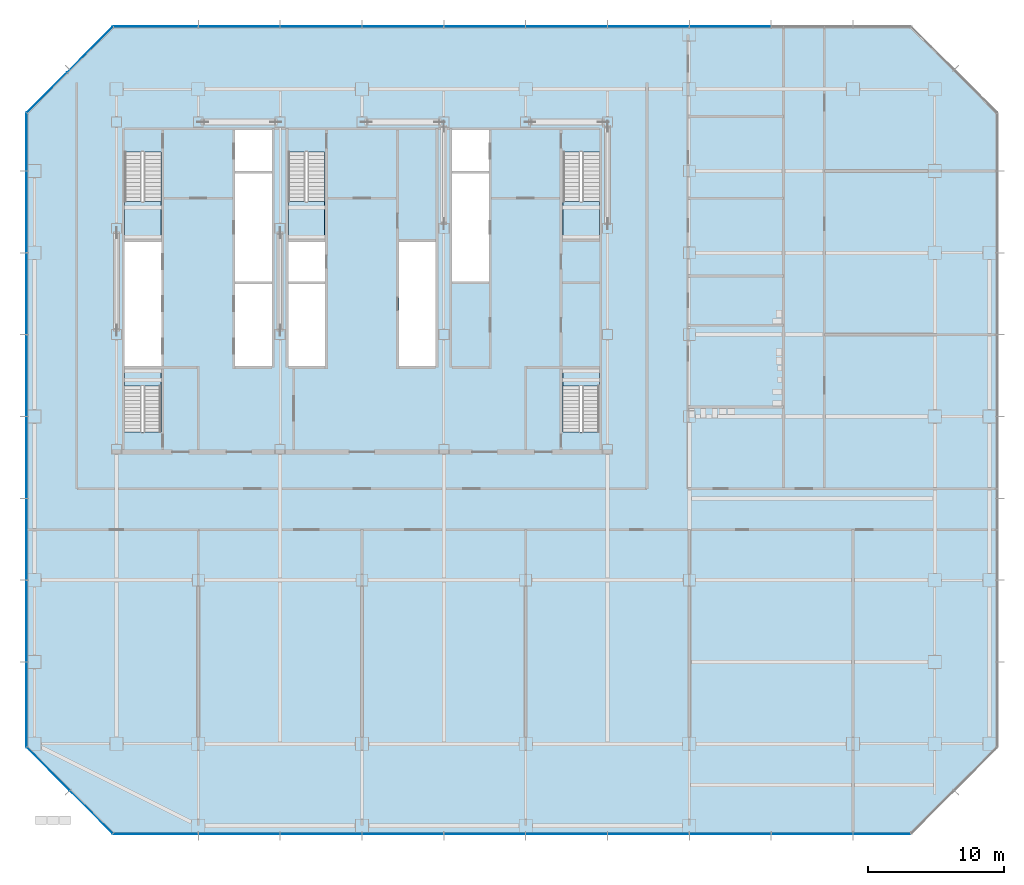
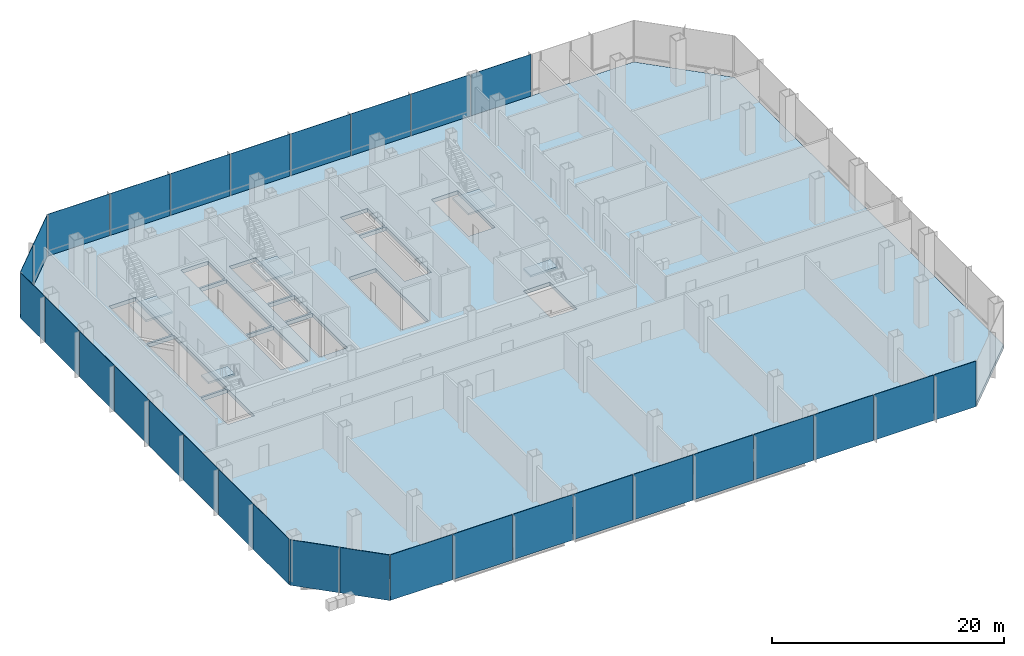
# One storey, part 20 of 33: 30 plates, 6 slabs, 10 elements without a shape of their own.
"""IFC4 building model written with IfcOpenShell, lengths in metres."""

from ifc_helpers import new_model, si_unit, direction, frame, origin, origin_2d, place, context, subcontext, project, spatial, polyline, rectangle, outline, extrude, material, layer, layer_set, type_object, element, aggregate, save


model = new_model("IFC4")

# Units and contexts
model_context = context("Model", 3, precision=1e-05, world=origin(), true_north=direction((0.0, 1.0)))
body_context = subcontext(model_context, "Body", "Model", "MODEL_VIEW")
ifc_project = project(units=[si_unit("LENGTHUNIT", "METRE"), si_unit("AREAUNIT", "SQUARE_METRE"), si_unit("VOLUMEUNIT", "CUBIC_METRE"), si_unit("PLANEANGLEUNIT", "RADIAN"), si_unit("MASSUNIT", "GRAM", prefix="KILO")], contexts=[model_context])

# Site, building, storey
site_placement = place(None, origin())
site = spatial("IfcSite", under=ifc_project, at=site_placement, CompositionType="ELEMENT")
building_placement = place(site_placement, origin())
building = spatial("IfcBuilding", under=site, at=building_placement, Name="Sorahane Residences", CompositionType="ELEMENT")
storey_placement = place(building_placement, frame((0.0, 0.0, 34.800048828125)))
storey = spatial("IfcBuildingStorey", under=building, at=storey_placement, Name="L05", CompositionType="ELEMENT", Elevation=34.800048828125)

# Slab
ifc_material_1 = material(Name="Concrete C35", Category="concrete")
ifc_layer_1 = layer(ifc_material_1, 0.39990234375)
ifc_layer_set_1 = layer_set([ifc_layer_1], Name="Composite floor slab 400 mm Concrete C35")
slab_type_1 = type_object("IfcSlabType", Name="Composite floor slab 400 mm Concrete C35", PredefinedType="FLOOR", material=ifc_layer_set_1)
slab_1_placement = place(storey_placement, frame((0.0, 0.0, -0.400146484375)))
element("IfcSlab", 1, at=slab_1_placement, inside=storey, type_object=slab_type_1, Name="Slab L05", PredefinedType="FLOOR", context=body_context, shape_type="SweptSolid", body=[
    extrude(outline(polyline([(5.75146484375, -6.60009765625), (-0.60009765625, -0.24853515625), (-0.60009765625, 46.24853515625), (5.75146484375, 52.60009765625), (64.24853515625, 52.60009765625), (70.60009765625, 46.24853515625), (70.60009765625, -0.24853515625), (64.24853515625, -6.60009765625), (5.75146484375, -6.60009765625)]), holes=[polyline([(18.60009765625, 27.699951171875), (21.300048828125, 27.699951171875), (21.300048828125, 33.699951171875), (18.60009765625, 33.699951171875), (18.60009765625, 27.699951171875)]), polyline([(30.60009765625, 42.0), (33.300048828125, 42.0), (33.300048828125, 45.0), (30.60009765625, 45.0), (30.60009765625, 42.0)]), polyline([(14.699951171875, 27.699951171875), (17.39990234375, 27.699951171875), (17.39990234375, 33.699951171875), (14.699951171875, 33.699951171875), (14.699951171875, 27.699951171875)]), polyline([(14.699951171875, 42.0), (17.39990234375, 42.0), (17.39990234375, 45.0), (14.699951171875, 45.0), (14.699951171875, 42.0)]), polyline([(6.60009765625, 27.699951171875), (9.300048828125, 27.699951171875), (9.300048828125, 36.800048828125), (6.60009765625, 36.800048828125), (6.60009765625, 27.699951171875)]), polyline([(6.60009765625, 43.39990234375), (6.60009765625, 37.0), (9.25, 37.0), (9.25, 43.39990234375), (6.60009765625, 43.39990234375)]), polyline([(38.75, 43.39990234375), (38.75, 37.0), (41.39990234375, 37.0), (41.39990234375, 43.39990234375), (38.75, 43.39990234375)]), polyline([(18.60009765625, 43.39990234375), (18.60009765625, 37.0), (21.25, 37.0), (21.25, 43.39990234375), (18.60009765625, 43.39990234375)]), polyline([(9.25, 22.85009765625), (9.25, 27.5), (6.60009765625, 27.5), (6.60009765625, 22.85009765625), (9.25, 22.85009765625)]), polyline([(41.39990234375, 22.85009765625), (41.39990234375, 27.5), (38.75, 27.5), (38.75, 22.85009765625), (41.39990234375, 22.85009765625)]), polyline([(14.699951171875, 33.89990234375), (17.39990234375, 33.89990234375), (17.39990234375, 41.800048828125), (14.699951171875, 41.800048828125), (14.699951171875, 33.89990234375)]), polyline([(30.60009765625, 33.89990234375), (33.300048828125, 33.89990234375), (33.300048828125, 41.800048828125), (30.60009765625, 41.800048828125), (30.60009765625, 33.89990234375)]), polyline([(18.60009765625, 33.89990234375), (21.300048828125, 33.89990234375), (21.300048828125, 36.800048828125), (18.60009765625, 36.800048828125), (18.60009765625, 33.89990234375)]), polyline([(26.699951171875, 27.699951171875), (29.39990234375, 27.699951171875), (29.39990234375, 36.800048828125), (26.699951171875, 36.800048828125), (26.699951171875, 27.699951171875)])]), origin(), (0.0, 0.0, 1.0), 0.400146484375),
])

# Curtain wall, plates
ifc_material_2 = material(Name="Dark low-e glass and black anodised aluminium", Category="aluminium")
curtain_wall_type = type_object("IfcCurtainWallType", Name="Curtain wall CW-3 Podium unitised wall", PredefinedType="NOTDEFINED", material=ifc_material_2)
curtain_wall_1_placement = place(storey_placement, origin())
curtain_wall_1 = element("IfcCurtainWall", 2, at=curtain_wall_1_placement, inside=storey, type_object=curtain_wall_type, Name="CW-3 curtain wall L05 S1", PredefinedType="NOTDEFINED")
ifc_material_3 = material(Name="Dark low-e glass with black ceramic frit", Category="glass")
ifc_layer_2 = layer(ifc_material_3, 0.0400390625)
ifc_layer_set_2 = layer_set([ifc_layer_2], Name="Curtain wall glass panel dark low-e podium with black frit spandrel band")
plate_type = type_object("IfcPlateType", Name="Curtain wall glass panel dark low-e podium with black frit spandrel band", PredefinedType="CURTAIN_PANEL", material=ifc_layer_set_2)
plate_1_placement = place(storey_placement, frame((8.88818359375, -6.60009765625, -0.39990234375), z_axis=(0.0, 0.0, 1.0), x_axis=(1.0, 0.0, 0.0)))
plate_1 = element("IfcPlate", 3, at=plate_1_placement, type_object=plate_type, Name="CW-3 glass panel L05 S1.1", PredefinedType="CURTAIN_PANEL", context=body_context, shape_type="SweptSolid", body=[
    extrude(rectangle(XDim=6.173583984375, YDim=0.0400390625, at=origin_2d()), origin(), (0.0, 0.0, 1.0), 4.800048828125),
])
plate_2_placement = place(storey_placement, frame((15.0, -6.60009765625, -0.39990234375), z_axis=(0.0, 0.0, 1.0), x_axis=(1.0, 0.0, 0.0)))
plate_2 = element("IfcPlate", 4, at=plate_2_placement, type_object=plate_type, Name="CW-3 glass panel L05 S1.2", PredefinedType="CURTAIN_PANEL", context=body_context, shape_type="SweptSolid", body=[
    extrude(rectangle(XDim=5.949951171875, YDim=0.0400390625, at=origin_2d()), origin(), (0.0, 0.0, 1.0), 4.800048828125),
])
plate_3_placement = place(storey_placement, frame((21.0, -6.60009765625, -0.39990234375), z_axis=(0.0, 0.0, 1.0), x_axis=(1.0, 0.0, 0.0)))
plate_3 = element("IfcPlate", 5, at=plate_3_placement, type_object=plate_type, Name="CW-3 glass panel L05 S1.3", PredefinedType="CURTAIN_PANEL", context=body_context, shape_type="SweptSolid", body=[
    extrude(rectangle(XDim=5.949951171875, YDim=0.0400390625, at=origin_2d()), origin(), (0.0, 0.0, 1.0), 4.800048828125),
])
plate_4_placement = place(storey_placement, frame((27.0, -6.60009765625, -0.39990234375), z_axis=(0.0, 0.0, 1.0), x_axis=(1.0, 0.0, 0.0)))
plate_4 = element("IfcPlate", 6, at=plate_4_placement, type_object=plate_type, Name="CW-3 glass panel L05 S1.4", PredefinedType="CURTAIN_PANEL", context=body_context, shape_type="SweptSolid", body=[
    extrude(rectangle(XDim=5.949951171875, YDim=0.0400390625, at=origin_2d()), origin(), (0.0, 0.0, 1.0), 4.800048828125),
])
plate_5_placement = place(storey_placement, frame((33.0, -6.60009765625, -0.39990234375), z_axis=(0.0, 0.0, 1.0), x_axis=(1.0, 0.0, 0.0)))
plate_5 = element("IfcPlate", 7, at=plate_5_placement, type_object=plate_type, Name="CW-3 glass panel L05 S1.5", PredefinedType="CURTAIN_PANEL", context=body_context, shape_type="SweptSolid", body=[
    extrude(rectangle(XDim=5.949951171875, YDim=0.0400390625, at=origin_2d()), origin(), (0.0, 0.0, 1.0), 4.800048828125),
])
plate_6_placement = place(storey_placement, frame((39.0, -6.60009765625, -0.39990234375), z_axis=(0.0, 0.0, 1.0), x_axis=(1.0, 0.0, 0.0)))
plate_6 = element("IfcPlate", 8, at=plate_6_placement, type_object=plate_type, Name="CW-3 glass panel L05 S1.6", PredefinedType="CURTAIN_PANEL", context=body_context, shape_type="SweptSolid", body=[
    extrude(rectangle(XDim=5.949951171875, YDim=0.0400390625, at=origin_2d()), origin(), (0.0, 0.0, 1.0), 4.800048828125),
])
plate_7_placement = place(storey_placement, frame((45.0, -6.60009765625, -0.39990234375), z_axis=(0.0, 0.0, 1.0), x_axis=(1.0, 0.0, 0.0)))
plate_7 = element("IfcPlate", 9, at=plate_7_placement, type_object=plate_type, Name="CW-3 glass panel L05 S1.7", PredefinedType="CURTAIN_PANEL", context=body_context, shape_type="SweptSolid", body=[
    extrude(rectangle(XDim=5.949951171875, YDim=0.0400390625, at=origin_2d()), origin(), (0.0, 0.0, 1.0), 4.800048828125),
])
plate_8_placement = place(storey_placement, frame((51.0, -6.60009765625, -0.39990234375), z_axis=(0.0, 0.0, 1.0), x_axis=(1.0, 0.0, 0.0)))
plate_8 = element("IfcPlate", 10, at=plate_8_placement, type_object=plate_type, Name="CW-3 glass panel L05 S1.8", PredefinedType="CURTAIN_PANEL", context=body_context, shape_type="SweptSolid", body=[
    extrude(rectangle(XDim=5.949951171875, YDim=0.0400390625, at=origin_2d()), origin(), (0.0, 0.0, 1.0), 4.800048828125),
])
plate_9_placement = place(storey_placement, frame((57.0, -6.60009765625, -0.39990234375), z_axis=(0.0, 0.0, 1.0), x_axis=(1.0, 0.0, 0.0)))
plate_9 = element("IfcPlate", 11, at=plate_9_placement, type_object=plate_type, Name="CW-3 glass panel L05 S1.9", PredefinedType="CURTAIN_PANEL", context=body_context, shape_type="SweptSolid", body=[
    extrude(rectangle(XDim=5.949951171875, YDim=0.0400390625, at=origin_2d()), origin(), (0.0, 0.0, 1.0), 4.800048828125),
])
plate_10_placement = place(storey_placement, frame((62.11181640625, -6.60009765625, -0.39990234375), z_axis=(0.0, 0.0, 1.0), x_axis=(1.0, 0.0, 0.0)))
plate_10 = element("IfcPlate", 12, at=plate_10_placement, type_object=plate_type, Name="CW-3 glass panel L05 S1.10", PredefinedType="CURTAIN_PANEL", context=body_context, shape_type="SweptSolid", body=[
    extrude(rectangle(XDim=4.173583984375, YDim=0.0400390625, at=origin_2d()), origin(), (0.0, 0.0, 1.0), 4.800048828125),
])
aggregate(curtain_wall_1, [plate_1, plate_2, plate_3, plate_4, plate_5, plate_6, plate_7, plate_8, plate_9, plate_10])

curtain_wall_2_placement = place(storey_placement, origin())
curtain_wall_2 = element("IfcCurtainWall", 13, at=curtain_wall_2_placement, inside=storey, type_object=curtain_wall_type, Name="CW-3 curtain wall L05 N1", PredefinedType="NOTDEFINED")
plate_11_placement = place(storey_placement, frame((51.0, 52.60009765625, -0.39990234375), z_axis=(0.0, 0.0, 1.0), x_axis=(-1.0, 0.0, 0.0)))
plate_11 = element("IfcPlate", 14, at=plate_11_placement, type_object=plate_type, Name="CW-3 glass panel L05 N1.5", PredefinedType="CURTAIN_PANEL", context=body_context, shape_type="SweptSolid", body=[
    extrude(rectangle(XDim=5.949951171875, YDim=0.0400390625, at=origin_2d()), origin(), (0.0, 0.0, 1.0), 4.800048828125),
])
plate_12_placement = place(storey_placement, frame((45.0, 52.60009765625, -0.39990234375), z_axis=(0.0, 0.0, 1.0), x_axis=(-1.0, 0.0, 0.0)))
plate_12 = element("IfcPlate", 15, at=plate_12_placement, type_object=plate_type, Name="CW-3 glass panel L05 N1.6", PredefinedType="CURTAIN_PANEL", context=body_context, shape_type="SweptSolid", body=[
    extrude(rectangle(XDim=5.949951171875, YDim=0.0400390625, at=origin_2d()), origin(), (0.0, 0.0, 1.0), 4.800048828125),
])
plate_13_placement = place(storey_placement, frame((39.0, 52.60009765625, -0.39990234375), z_axis=(0.0, 0.0, 1.0), x_axis=(-1.0, 0.0, 0.0)))
plate_13 = element("IfcPlate", 16, at=plate_13_placement, type_object=plate_type, Name="CW-3 glass panel L05 N1.7", PredefinedType="CURTAIN_PANEL", context=body_context, shape_type="SweptSolid", body=[
    extrude(rectangle(XDim=5.949951171875, YDim=0.0400390625, at=origin_2d()), origin(), (0.0, 0.0, 1.0), 4.800048828125),
])
plate_14_placement = place(storey_placement, frame((33.0, 52.60009765625, -0.39990234375), z_axis=(0.0, 0.0, 1.0), x_axis=(-1.0, 0.0, 0.0)))
plate_14 = element("IfcPlate", 17, at=plate_14_placement, type_object=plate_type, Name="CW-3 glass panel L05 N1.8", PredefinedType="CURTAIN_PANEL", context=body_context, shape_type="SweptSolid", body=[
    extrude(rectangle(XDim=5.949951171875, YDim=0.0400390625, at=origin_2d()), origin(), (0.0, 0.0, 1.0), 4.800048828125),
])
plate_15_placement = place(storey_placement, frame((27.0, 52.60009765625, -0.39990234375), z_axis=(0.0, 0.0, 1.0), x_axis=(-1.0, 0.0, 0.0)))
plate_15 = element("IfcPlate", 18, at=plate_15_placement, type_object=plate_type, Name="CW-3 glass panel L05 N1.9", PredefinedType="CURTAIN_PANEL", context=body_context, shape_type="SweptSolid", body=[
    extrude(rectangle(XDim=5.949951171875, YDim=0.0400390625, at=origin_2d()), origin(), (0.0, 0.0, 1.0), 4.800048828125),
])
plate_16_placement = place(storey_placement, frame((21.0, 52.60009765625, -0.39990234375), z_axis=(0.0, 0.0, 1.0), x_axis=(-1.0, 0.0, 0.0)))
plate_16 = element("IfcPlate", 19, at=plate_16_placement, type_object=plate_type, Name="CW-3 glass panel L05 N1.10", PredefinedType="CURTAIN_PANEL", context=body_context, shape_type="SweptSolid", body=[
    extrude(rectangle(XDim=5.949951171875, YDim=0.0400390625, at=origin_2d()), origin(), (0.0, 0.0, 1.0), 4.800048828125),
])
plate_17_placement = place(storey_placement, frame((15.0, 52.60009765625, -0.39990234375), z_axis=(0.0, 0.0, 1.0), x_axis=(-1.0, 0.0, 0.0)))
plate_17 = element("IfcPlate", 20, at=plate_17_placement, type_object=plate_type, Name="CW-3 glass panel L05 N1.11", PredefinedType="CURTAIN_PANEL", context=body_context, shape_type="SweptSolid", body=[
    extrude(rectangle(XDim=5.949951171875, YDim=0.0400390625, at=origin_2d()), origin(), (0.0, 0.0, 1.0), 4.800048828125),
])
plate_18_placement = place(storey_placement, frame((8.88818359375, 52.60009765625, -0.39990234375), z_axis=(0.0, 0.0, 1.0), x_axis=(-1.0, 0.0, 0.0)))
plate_18 = element("IfcPlate", 21, at=plate_18_placement, type_object=plate_type, Name="CW-3 glass panel L05 N1.12", PredefinedType="CURTAIN_PANEL", context=body_context, shape_type="SweptSolid", body=[
    extrude(rectangle(XDim=6.173583984375, YDim=0.0400390625, at=origin_2d()), origin(), (0.0, 0.0, 1.0), 4.800048828125),
])
aggregate(curtain_wall_2, [plate_11, plate_12, plate_13, plate_14, plate_15, plate_16, plate_17, plate_18])

curtain_wall_3_placement = place(storey_placement, origin())
curtain_wall_3 = element("IfcCurtainWall", 22, at=curtain_wall_3_placement, inside=storey, type_object=curtain_wall_type, Name="CW-3 curtain wall L05 NW1", PredefinedType="NOTDEFINED")
plate_19_placement = place(storey_placement, frame((4.0546875, 50.9033203125, -0.39990234375), z_axis=(0.0, 0.0, 1.0), x_axis=(-0.707106781187, -0.707106781187, 0.0)))
plate_19 = element("IfcPlate", 23, at=plate_19_placement, type_object=plate_type, Name="CW-3 glass panel L05 NW1.1", PredefinedType="CURTAIN_PANEL", context=body_context, shape_type="SweptSolid", body=[
    extrude(rectangle(XDim=4.698974609375, YDim=0.0400390625, at=origin_2d()), origin(), (0.0, 0.0, 1.0), 4.800048828125),
])
plate_20_placement = place(storey_placement, frame((0.896728515625, 47.7451171875, -0.39990234375), z_axis=(0.0, 0.0, 1.0), x_axis=(-0.707106781187, -0.707106781187, 0.0)))
plate_20 = element("IfcPlate", 24, at=plate_20_placement, type_object=plate_type, Name="CW-3 glass panel L05 NW1.2", PredefinedType="CURTAIN_PANEL", context=body_context, shape_type="SweptSolid", body=[
    extrude(rectangle(XDim=4.13330078125, YDim=0.0400390625, at=origin_2d()), origin(), (0.0, 0.0, 1.0), 4.800048828125),
])
aggregate(curtain_wall_3, [plate_19, plate_20])

curtain_wall_4_placement = place(storey_placement, origin())
curtain_wall_4 = element("IfcCurtainWall", 25, at=curtain_wall_4_placement, inside=storey, type_object=curtain_wall_type, Name="CW-3 curtain wall L05 W1", PredefinedType="NOTDEFINED")
plate_21_placement = place(storey_placement, frame((-0.60009765625, 44.11181640625, -0.39990234375), z_axis=(0.0, 0.0, 1.0), x_axis=(0.0, -1.0, 0.0)))
plate_21 = element("IfcPlate", 26, at=plate_21_placement, type_object=plate_type, Name="CW-3 glass panel L05 W1.1", PredefinedType="CURTAIN_PANEL", context=body_context, shape_type="SweptSolid", body=[
    extrude(rectangle(XDim=4.173583984375, YDim=0.0400390625, at=origin_2d()), origin(), (0.0, 0.0, 1.0), 4.800048828125),
])
plate_22_placement = place(storey_placement, frame((-0.60009765625, 39.0, -0.39990234375), z_axis=(0.0, 0.0, 1.0), x_axis=(0.0, -1.0, 0.0)))
plate_22 = element("IfcPlate", 27, at=plate_22_placement, type_object=plate_type, Name="CW-3 glass panel L05 W1.2", PredefinedType="CURTAIN_PANEL", context=body_context, shape_type="SweptSolid", body=[
    extrude(rectangle(XDim=5.949951171875, YDim=0.0400390625, at=origin_2d()), origin(), (0.0, 0.0, 1.0), 4.800048828125),
])
plate_23_placement = place(storey_placement, frame((-0.60009765625, 33.0, -0.39990234375), z_axis=(0.0, 0.0, 1.0), x_axis=(0.0, -1.0, 0.0)))
plate_23 = element("IfcPlate", 28, at=plate_23_placement, type_object=plate_type, Name="CW-3 glass panel L05 W1.3", PredefinedType="CURTAIN_PANEL", context=body_context, shape_type="SweptSolid", body=[
    extrude(rectangle(XDim=5.949951171875, YDim=0.0400390625, at=origin_2d()), origin(), (0.0, 0.0, 1.0), 4.800048828125),
])
plate_24_placement = place(storey_placement, frame((-0.60009765625, 27.0, -0.39990234375), z_axis=(0.0, 0.0, 1.0), x_axis=(0.0, -1.0, 0.0)))
plate_24 = element("IfcPlate", 29, at=plate_24_placement, type_object=plate_type, Name="CW-3 glass panel L05 W1.4", PredefinedType="CURTAIN_PANEL", context=body_context, shape_type="SweptSolid", body=[
    extrude(rectangle(XDim=5.949951171875, YDim=0.0400390625, at=origin_2d()), origin(), (0.0, 0.0, 1.0), 4.800048828125),
])
plate_25_placement = place(storey_placement, frame((-0.60009765625, 21.0, -0.39990234375), z_axis=(0.0, 0.0, 1.0), x_axis=(0.0, -1.0, 0.0)))
plate_25 = element("IfcPlate", 30, at=plate_25_placement, type_object=plate_type, Name="CW-3 glass panel L05 W1.5", PredefinedType="CURTAIN_PANEL", context=body_context, shape_type="SweptSolid", body=[
    extrude(rectangle(XDim=5.949951171875, YDim=0.0400390625, at=origin_2d()), origin(), (0.0, 0.0, 1.0), 4.800048828125),
])
plate_26_placement = place(storey_placement, frame((-0.60009765625, 15.0, -0.39990234375), z_axis=(0.0, 0.0, 1.0), x_axis=(0.0, -1.0, 0.0)))
plate_26 = element("IfcPlate", 31, at=plate_26_placement, type_object=plate_type, Name="CW-3 glass panel L05 W1.6", PredefinedType="CURTAIN_PANEL", context=body_context, shape_type="SweptSolid", body=[
    extrude(rectangle(XDim=5.949951171875, YDim=0.0400390625, at=origin_2d()), origin(), (0.0, 0.0, 1.0), 4.800048828125),
])
plate_27_placement = place(storey_placement, frame((-0.60009765625, 9.0, -0.39990234375), z_axis=(0.0, 0.0, 1.0), x_axis=(0.0, -1.0, 0.0)))
plate_27 = element("IfcPlate", 32, at=plate_27_placement, type_object=plate_type, Name="CW-3 glass panel L05 W1.7", PredefinedType="CURTAIN_PANEL", context=body_context, shape_type="SweptSolid", body=[
    extrude(rectangle(XDim=5.949951171875, YDim=0.0400390625, at=origin_2d()), origin(), (0.0, 0.0, 1.0), 4.800048828125),
])
plate_28_placement = place(storey_placement, frame((-0.60009765625, 2.88818359375, -0.39990234375), z_axis=(0.0, 0.0, 1.0), x_axis=(0.0, -1.0, 0.0)))
plate_28 = element("IfcPlate", 33, at=plate_28_placement, type_object=plate_type, Name="CW-3 glass panel L05 W1.8", PredefinedType="CURTAIN_PANEL", context=body_context, shape_type="SweptSolid", body=[
    extrude(rectangle(XDim=6.173583984375, YDim=0.0400390625, at=origin_2d()), origin(), (0.0, 0.0, 1.0), 4.800048828125),
])
aggregate(curtain_wall_4, [plate_21, plate_22, plate_23, plate_24, plate_25, plate_26, plate_27, plate_28])

curtain_wall_5_placement = place(storey_placement, origin())
curtain_wall_5 = element("IfcCurtainWall", 34, at=curtain_wall_5_placement, inside=storey, type_object=curtain_wall_type, Name="CW-3 curtain wall L05 SW1", PredefinedType="NOTDEFINED")
plate_29_placement = place(storey_placement, frame((0.996826171875, -1.84521484375, -0.39990234375), z_axis=(0.0, 0.0, 1.0), x_axis=(0.707106781187, -0.707106781187, 0.0)))
plate_29 = element("IfcPlate", 35, at=plate_29_placement, type_object=plate_type, Name="CW-3 glass panel L05 SW1.1", PredefinedType="CURTAIN_PANEL", context=body_context, shape_type="SweptSolid", body=[
    extrude(rectangle(XDim=4.416259765625, YDim=0.0400390625, at=origin_2d()), origin(), (0.0, 0.0, 1.0), 4.800048828125),
])
plate_30_placement = place(storey_placement, frame((4.15478515625, -5.003173828125, -0.39990234375), z_axis=(0.0, 0.0, 1.0), x_axis=(0.707106781187, -0.707106781187, 0.0)))
plate_30 = element("IfcPlate", 36, at=plate_30_placement, type_object=plate_type, Name="CW-3 glass panel L05 SW1.2", PredefinedType="CURTAIN_PANEL", context=body_context, shape_type="SweptSolid", body=[
    extrude(rectangle(XDim=4.416259765625, YDim=0.0400390625, at=origin_2d()), origin(), (0.0, 0.0, 1.0), 4.800048828125),
])
aggregate(curtain_wall_5, [plate_29, plate_30])

# Stair, slab
ifc_material_4 = material(Name="Concrete C40", Category="concrete")
stair_type = type_object("IfcStairType", Name="Dog-leg stair 1250 Concrete C40", PredefinedType="HALF_TURN_STAIR", material=ifc_material_4)
stair_1_placement = place(storey_placement, origin())
stair_1 = element("IfcStair", 37, at=stair_1_placement, inside=storey, type_object=stair_type, Name="L05 Stair S1", PredefinedType="HALF_TURN_STAIR")
ifc_material_5 = material(Name="Concrete C40", Category="concrete")
ifc_layer_3 = layer(ifc_material_5, 0.199951171875)
ifc_layer_set_3 = layer_set([ifc_layer_3], Name="Stair landing 200 Concrete C40")
slab_type_2 = type_object("IfcSlabType", Name="Stair landing 200 Concrete C40", PredefinedType="LANDING", material=ifc_layer_set_3)
slab_2_placement = place(storey_placement, frame((0.0, 0.0, 2.199951171875)))
slab_2 = element("IfcSlab", 38, at=slab_2_placement, type_object=slab_type_2, Name="S1 landing 1", PredefinedType="LANDING", context=body_context, shape_type="SweptSolid", body=[
    extrude(outline(polyline([(6.60009765625, 39.760009765625), (6.60009765625, 37.0), (9.25, 37.0), (9.25, 39.760009765625), (6.60009765625, 39.760009765625)])), origin(), (0.0, 0.0, 1.0), 0.199951171875),
])
aggregate(stair_1, [slab_2])

stair_2_placement = place(storey_placement, origin())
stair_2 = element("IfcStair", 39, at=stair_2_placement, inside=storey, type_object=stair_type, Name="L05 Stair S2", PredefinedType="HALF_TURN_STAIR")
slab_3_placement = place(storey_placement, frame((0.0, 0.0, 2.199951171875)))
slab_3 = element("IfcSlab", 40, at=slab_3_placement, type_object=slab_type_2, Name="S2 landing 1", PredefinedType="LANDING", context=body_context, shape_type="SweptSolid", body=[
    extrude(outline(polyline([(38.75, 39.760009765625), (38.75, 37.0), (41.39990234375, 37.0), (41.39990234375, 39.760009765625), (38.75, 39.760009765625)])), origin(), (0.0, 0.0, 1.0), 0.199951171875),
])
aggregate(stair_2, [slab_3])

stair_3_placement = place(storey_placement, origin())
stair_3 = element("IfcStair", 41, at=stair_3_placement, inside=storey, type_object=stair_type, Name="L05 Stair S3", PredefinedType="HALF_TURN_STAIR")
slab_4_placement = place(storey_placement, frame((0.0, 0.0, 2.199951171875)))
slab_4 = element("IfcSlab", 42, at=slab_4_placement, type_object=slab_type_2, Name="S3 landing 1", PredefinedType="LANDING", context=body_context, shape_type="SweptSolid", body=[
    extrude(outline(polyline([(18.60009765625, 39.760009765625), (18.60009765625, 37.0), (21.25, 37.0), (21.25, 39.760009765625), (18.60009765625, 39.760009765625)])), origin(), (0.0, 0.0, 1.0), 0.199951171875),
])
aggregate(stair_3, [slab_4])

stair_4_placement = place(storey_placement, origin())
stair_4 = element("IfcStair", 43, at=stair_4_placement, inside=storey, type_object=stair_type, Name="L05 Stair S4", PredefinedType="HALF_TURN_STAIR")
slab_5_placement = place(storey_placement, frame((0.0, 0.0, 2.199951171875)))
slab_5 = element("IfcSlab", 44, at=slab_5_placement, type_object=slab_type_2, Name="S4 landing 1", PredefinedType="LANDING", context=body_context, shape_type="SweptSolid", body=[
    extrude(outline(polyline([(9.25, 26.22998046875), (9.25, 27.5), (6.60009765625, 27.5), (6.60009765625, 26.22998046875), (9.25, 26.22998046875)])), origin(), (0.0, 0.0, 1.0), 0.199951171875),
])
aggregate(stair_4, [slab_5])

stair_5_placement = place(storey_placement, origin())
stair_5 = element("IfcStair", 45, at=stair_5_placement, inside=storey, type_object=stair_type, Name="L05 Stair S5", PredefinedType="HALF_TURN_STAIR")
slab_6_placement = place(storey_placement, frame((0.0, 0.0, 2.199951171875)))
slab_6 = element("IfcSlab", 46, at=slab_6_placement, type_object=slab_type_2, Name="S5 landing 1", PredefinedType="LANDING", context=body_context, shape_type="SweptSolid", body=[
    extrude(outline(polyline([(41.39990234375, 26.22998046875), (41.39990234375, 27.5), (38.75, 27.5), (38.75, 26.22998046875), (41.39990234375, 26.22998046875)])), origin(), (0.0, 0.0, 1.0), 0.199951171875),
])
aggregate(stair_5, [slab_6])

save(model, "model.ifc")
